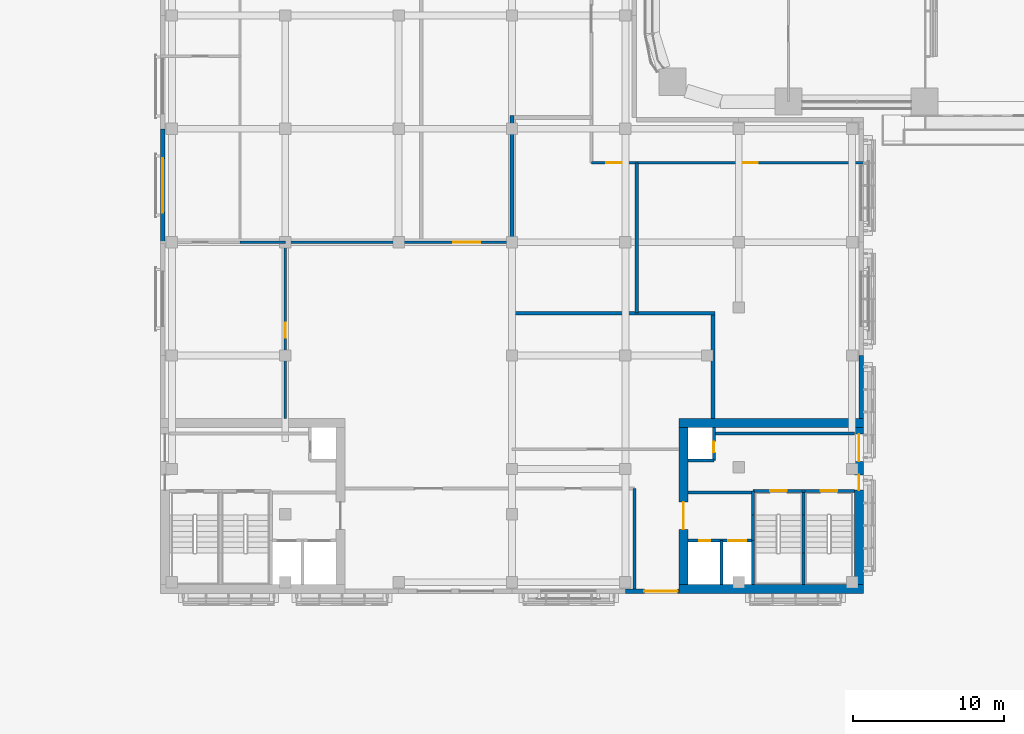
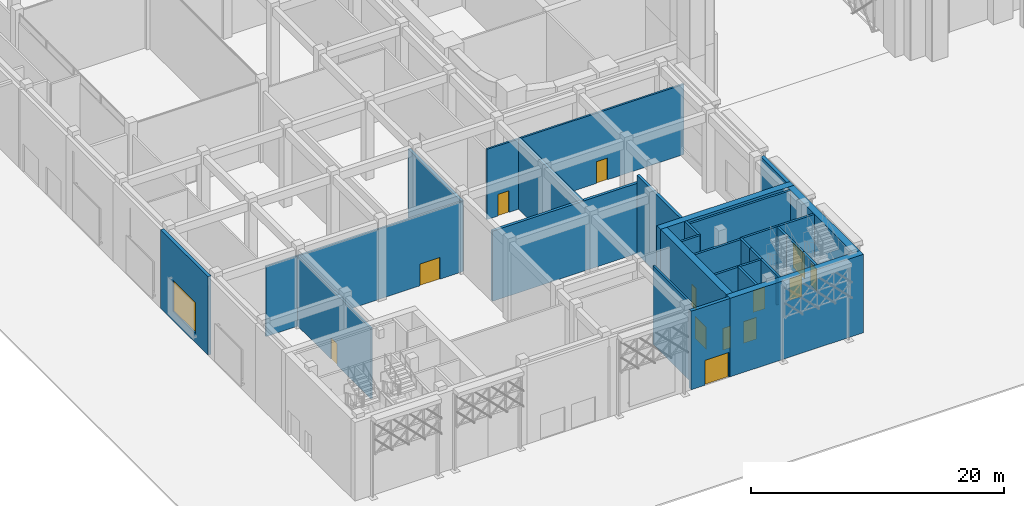
# One storey, part 29 of 64: 31 walls, 13 doors, 1 window, 14 openings.
"""IFC4 building model written with IfcOpenShell, lengths in metres."""

import ifcopenshell
import ifcopenshell.guid

model = None  # the IFC model being written
_history = None  # IfcOwnerHistory: only IFC2X3 demands one
_inside = {}  # id of a spatial element -> (the spatial element, [elements in it])
_under = {}  # id of a project, library or spatial element -> (it, [spatial elements below it])
_declared = {}  # id of a project -> (the project, [libraries it declares])
_typed = {}  # id of a type object -> (the type object, [elements of that type])
_made_of = {}  # id of a material, layer set ... -> (it, [elements and type objects made of it])


def new_model(schema):
    """Start an empty IFC model of exactly this schema.

    Asked for "IFC4X3", IfcOpenShell would pick the latest addendum, in which some entities
    have other attributes; the version numbers below select the first issue.
    IFC2X3 requires an IfcOwnerHistory on every rooted entity: one is made here for all.
    """
    global model, _history
    if schema == "IFC4X3":
        model = ifcopenshell.file(schema_version=(4, 3, 0, 0))
    else:
        model = ifcopenshell.file(schema=schema)
    _inside.clear()
    _under.clear()
    _declared.clear()
    _typed.clear()
    _made_of.clear()
    _history = None
    if model.schema == "IFC2X3":
        org = make("IfcOrganization", Name="unknown")
        user = make(
            "IfcPersonAndOrganization",
            ThePerson=make("IfcPerson", FamilyName="unknown"),
            TheOrganization=org,
        )
        app = make(
            "IfcApplication",
            ApplicationDeveloper=org,
            Version="unknown",
            ApplicationFullName="unknown",
            ApplicationIdentifier="unknown",
        )
        _history = make(
            "IfcOwnerHistory",
            OwningUser=user,
            OwningApplication=app,
            ChangeAction="ADDED",
            CreationDate=0,
        )
    return model


def make(cls, **values):
    """One entity of the class cls with the attributes given. An attribute that is None is left unset."""
    return model.create_entity(
        cls, **{name: value for name, value in values.items() if value is not None}
    )


def rooted(cls, **values):
    """An entity with a GlobalId (a new one), such as an element, a storey or a relation."""
    return make(cls, GlobalId=ifcopenshell.guid.new(), OwnerHistory=_history, **values)


def si_unit(unit_type, name, prefix=None):
    """IfcSIUnit, for example si_unit("LENGTHUNIT", "METRE", prefix="MILLI")."""
    return make("IfcSIUnit", UnitType=unit_type, Prefix=prefix, Name=name)


def assignment(units):
    """IfcUnitAssignment: the units of a project."""
    return None if units is None else make("IfcUnitAssignment", Units=units)


def point(xyz):
    """IfcCartesianPoint."""
    return None if xyz is None else make("IfcCartesianPoint", Coordinates=xyz)


def direction(xyz):
    """IfcDirection."""
    return None if xyz is None else make("IfcDirection", DirectionRatios=xyz)


def frame(location, z_axis=None, x_axis=None):
    """IfcAxis2Placement3D, a coordinate frame: its origin and axes. An axis left out is left unset."""
    return make(
        "IfcAxis2Placement3D",
        Location=point(location),
        Axis=direction(z_axis),
        RefDirection=direction(x_axis),
    )


def frame_2d(location, x_axis=None):
    """IfcAxis2Placement2D, a coordinate frame in the plane: its origin and x axis."""
    return make(
        "IfcAxis2Placement2D", Location=point(location), RefDirection=direction(x_axis)
    )


def origin():
    """The frame at (0, 0, 0) with its axes left unset."""
    return frame((0.0, 0.0, 0.0))


def place(relative_to, where):
    """IfcLocalPlacement: puts the frame where relative to a parent placement (None: the world)."""
    return make(
        "IfcLocalPlacement", PlacementRelTo=relative_to, RelativePlacement=where
    )


def context(
    kind, dimensions, precision=None, world=None, true_north=None, identifier=None
):
    """IfcGeometricRepresentationContext, for example the 3D "Model" context."""
    return make(
        "IfcGeometricRepresentationContext",
        ContextIdentifier=identifier,
        ContextType=kind,
        CoordinateSpaceDimension=dimensions,
        Precision=precision,
        WorldCoordinateSystem=world,
        TrueNorth=true_north,
    )


def subcontext(parent, identifier, kind, view, scale=None):
    """IfcGeometricRepresentationSubContext, for example "Body" below "Model"."""
    return make(
        "IfcGeometricRepresentationSubContext",
        ContextIdentifier=identifier,
        ContextType=kind,
        ParentContext=parent,
        TargetScale=scale,
        TargetView=view,
    )


def project(units=None, contexts=None):
    """IfcProject with its units and contexts."""
    return rooted(
        "IfcProject",
        Name="project",
        RepresentationContexts=contexts,
        UnitsInContext=assignment(units),
    )


def spatial(cls, under=None, at=None, **own):
    """A site, building, storey or space (cls), placed at a placement, below another one or the project."""
    s = rooted(cls, ObjectPlacement=at, **own)
    if under is not None:
        _under.setdefault(under.id(), (under, []))[1].append(s)
    return s


def profile(cls, at=None, kind="AREA", **sizes):
    """A parametric profile (cls). Its sizes go by their IFC names, for example OverallWidth=200.0."""
    return make(cls, ProfileType=kind, Position=at, **sizes)


def rectangle(**sizes):
    """IfcRectangleProfileDef."""
    return profile("IfcRectangleProfileDef", **sizes)


def extrude(swept, where, along, depth):
    """IfcExtrudedAreaSolid: the profile swept, set in the frame where, extruded along a direction by depth."""
    return make(
        "IfcExtrudedAreaSolid",
        SweptArea=swept,
        Position=where,
        ExtrudedDirection=direction(along),
        Depth=depth,
    )


def shape(context_of_items, identifier, shape_type, items):
    """IfcShapeRepresentation: the items that make up one representation, for example the "Body"."""
    return make(
        "IfcShapeRepresentation",
        ContextOfItems=context_of_items,
        RepresentationIdentifier=identifier,
        RepresentationType=shape_type,
        Items=items,
    )


def material(Name=None, Category=None):
    """IfcMaterial."""
    return make("IfcMaterial", Name=Name, Category=Category)


def layer(
    of_material, thickness, ventilated=None, Name=None, Category=None, Priority=None
):
    """IfcMaterialLayer: one layer of a wall or slab, of a material (None: an air gap)."""
    return make(
        "IfcMaterialLayer",
        Material=of_material,
        LayerThickness=thickness,
        IsVentilated=ventilated,
        Name=Name,
        Category=Category,
        Priority=Priority,
    )


def layer_set(layers, Name=None):
    """IfcMaterialLayerSet."""
    return make("IfcMaterialLayerSet", MaterialLayers=layers, LayerSetName=Name)


def made_of(thing, what):
    """Note that an element or type object is made of a material, layer set ...; save() writes the relation."""
    if what is not None:
        _made_of.setdefault(what.id(), (what, []))[1].append(thing)
    return thing


def type_object(cls, material=None, **own):
    """A type object (cls), such as IfcWallType, which elements share."""
    return made_of(rooted(cls, **own), material)


def element(
    cls,
    number,
    at=None,
    inside=None,
    cuts=None,
    type_object=None,
    material=None,
    context=None,
    identifier="Body",
    shape_type=None,
    held_by="IfcProductDefinitionShape",
    body=None,
    shapes=None,
    **own,
):
    """One element of the class cls, such as IfcWall. Its Tag is "e" and its number.

    at: its placement. inside: the storey or other place that contains it. cuts: it is an
    opening in that element (IfcRelVoidsElement). A single representation is given by context,
    identifier, shape_type and body (its items); several are given by shapes. held_by: the class
    of the entity that holds the representations. save() writes the other relations.
    """
    e = rooted(cls, Tag="e%d" % number, ObjectPlacement=at, **own)
    if body is not None:
        shapes = [shape(context, identifier, shape_type, body)]
    if shapes is not None:
        e.Representation = make(held_by, Representations=shapes)
    if inside is not None:
        _inside.setdefault(inside.id(), (inside, []))[1].append(e)
    if cuts is not None:
        rooted(
            "IfcRelVoidsElement", RelatingBuildingElement=cuts, RelatedOpeningElement=e
        )
    if type_object is not None:
        _typed.setdefault(type_object.id(), (type_object, []))[1].append(e)
    return made_of(e, material)


def fill(opening, filler):
    """IfcRelFillsElement: the door or window that sits in an opening."""
    return rooted(
        "IfcRelFillsElement",
        RelatingOpeningElement=opening,
        RelatedBuildingElement=filler,
    )


def aggregate(whole, parts):
    """IfcRelAggregates: a whole, such as a stair, and the parts it consists of."""
    return rooted("IfcRelAggregates", RelatingObject=whole, RelatedObjects=parts)


def save(model, path):
    """Write the relations noted so far, then the file.

    IfcRelAggregates (storeys below a building ...), IfcRelContainedInSpatialStructure (elements
    in a storey), IfcRelDefinesByType, IfcRelAssociatesMaterial and IfcRelDeclares: one each for
    every whole, place, type object, material and project.
    """
    for whole, parts in _under.values():
        aggregate(whole, parts)
    for where, things in _inside.values():
        rooted(
            "IfcRelContainedInSpatialStructure",
            RelatedElements=things,
            RelatingStructure=where,
        )
    for kind, things in _typed.values():
        rooted("IfcRelDefinesByType", RelatedObjects=things, RelatingType=kind)
    for what, things in _made_of.values():
        rooted("IfcRelAssociatesMaterial", RelatedObjects=things, RelatingMaterial=what)
    for by, libraries in _declared.values():
        rooted("IfcRelDeclares", RelatingContext=by, RelatedDefinitions=libraries)
    model.write(path)


model = new_model("IFC4")

# Units and contexts
model_context = context("Model", 3, precision=1e-05, world=origin(), true_north=direction((0.0, 1.0)))
body_context = subcontext(model_context, "Body", "Model", "MODEL_VIEW")
ifc_project = project(units=[si_unit("LENGTHUNIT", "METRE"), si_unit("AREAUNIT", "SQUARE_METRE"), si_unit("VOLUMEUNIT", "CUBIC_METRE"), si_unit("PLANEANGLEUNIT", "RADIAN"), si_unit("MASSUNIT", "GRAM", prefix="KILO")], contexts=[model_context])

# Site, building, storey
site_placement = place(None, origin())
site = spatial("IfcSite", under=ifc_project, at=site_placement, CompositionType="ELEMENT")
building_placement = place(site_placement, origin())
building = spatial("IfcBuilding", under=site, at=building_placement, Name="Tessera Arch", CompositionType="ELEMENT")
storey_placement = place(building_placement, origin())
storey = spatial("IfcBuildingStorey", under=building, at=storey_placement, Name="L00", CompositionType="ELEMENT", Elevation=0.0)

# Walls
ifc_material_1 = material(Name="Gypsum board on steel stud", Category="steel")
ifc_layer_1 = layer(ifc_material_1, 0.125)
ifc_layer_set_1 = layer_set([ifc_layer_1], Name="Core partition 125 EI 60")
wall_type_1 = type_object("IfcWallType", Name="Core partition 125 EI 60", PredefinedType="PARTITIONING", material=ifc_layer_set_1)
wall_1_placement = place(storey_placement, frame((2.35009765625, -25.85009765625, 0.0), z_axis=(0.0, 0.0, 1.0), x_axis=(1.0, 0.0, 0.0)))
element("IfcWall", 1, at=wall_1_placement, inside=storey, type_object=wall_type_1, Name="L00 M3 partition wall 10", PredefinedType="PARTITIONING", context=body_context, shape_type="SweptSolid", body=[
    extrude(rectangle(XDim=4.2998046875, YDim=0.199951171875, at=frame_2d((2.14990234375, 0.0))), origin(), (0.0, 0.0, 1.0), 7.590087890625),
])
wall_2_placement = place(storey_placement, frame((4.050048828125, -21.949951171875, 0.0), z_axis=(0.0, 0.0, 1.0), x_axis=(1.0, 0.0, 0.0)))
element("IfcWall", 2, at=wall_2_placement, inside=storey, type_object=wall_type_1, Name="L00 M3 partition wall 15", PredefinedType="PARTITIONING", context=body_context, shape_type="SweptSolid", body=[
    extrude(rectangle(XDim=9.300048828125, YDim=0.199951171875, at=frame_2d((4.64990234375, 0.0))), origin(), (0.0, 0.0, 1.0), 7.590087890625),
])
ifc_material_2 = material(Name="Concrete C70/85", Category="concrete")
ifc_layer_2 = layer(ifc_material_2, 0.60009765625)
ifc_layer_set_2 = layer_set([ifc_layer_2], Name="Core shell wall 600 C70-85")
wall_type_2 = type_object("IfcWallType", Name="Core shell wall 600 C70-85", PredefinedType="SHEAR", material=ifc_layer_set_2)
for number, where, z_axis, x_axis, name in (
    (3, (1.75, -32.25, 0.0), (0.0, 0.0, 1.0), (1.0, 0.0, 0.0), "L00 M3 core wall S"),
    (4, (1.75, -21.25, 0.0), (0.0, 0.0, 1.0), (1.0, 0.0, 0.0), "L00 M3 core wall N"),
):
    element("IfcWall", number, at=place(storey_placement, frame(where, z_axis=z_axis, x_axis=x_axis)), inside=storey, type_object=wall_type_2, Name=name, PredefinedType="SHEAR", context=body_context, shape_type="SweptSolid", body=[
        extrude(rectangle(XDim=12.199951171875, YDim=0.60009765625, at=frame_2d((6.10009765625, 0.0))), origin(), (0.0, 0.0, 1.0), 7.590087890625),
    ])

# Wall, opening, door
wall_3_placement = place(storey_placement, frame((2.050048828125, -31.949951171875, 0.0), z_axis=(0.0, 0.0, 1.0), x_axis=(0.0, 1.0, 0.0)))
wall_3 = element("IfcWall", 5, at=wall_3_placement, inside=storey, type_object=wall_type_2, Name="L00 M3 core wall W", PredefinedType="SHEAR", context=body_context, shape_type="SweptSolid", body=[
    extrude(rectangle(XDim=10.39990234375, YDim=0.60009765625, at=frame_2d((5.199951171875, 0.0))), origin(), (0.0, 0.0, 1.0), 7.590087890625),
])
opening_1_placement = place(wall_3_placement, frame((3.64990234375, 0.0, 0.0)))
opening_1 = element("IfcOpeningElement", 6, at=opening_1_placement, cuts=wall_3, Name="Opening L00-C64", PredefinedType="OPENING", context=body_context, shape_type="SweptSolid", body=[
    extrude(rectangle(XDim=1.800048828125, YDim=2.10009765625, at=frame_2d((0.89990234375, 1.050048828125))), frame((0.0, 0.31005859375, 0.0), z_axis=(0.0, -1.0, 0.0), x_axis=(1.0, 0.0, 0.0)), (0.0, 0.0, 1.0), 0.6201171875),
])
ifc_material_3 = material(Name="Glazed steel door leaf", Category="steel")
door_type_1 = type_object("IfcDoorType", Name="Lobby double door FD30S 1800 x 2100", OperationType="DOUBLE_DOOR_SINGLE_SWING", PredefinedType="DOOR", material=ifc_material_3)
door_1_placement = place(opening_1_placement, origin())
door_1 = element("IfcDoor", 7, at=door_1_placement, inside=storey, type_object=door_type_1, Name="L00 M3 door 4 C64 type D06", OperationType="DOUBLE_DOOR_SINGLE_SWING", OverallHeight=2.10009765625, OverallWidth=1.800048828125, PredefinedType="DOOR", context=body_context, shape_type="SweptSolid", body=[
    extrude(rectangle(XDim=1.800048828125, YDim=2.10009765625, at=frame_2d((0.89990234375, 1.050048828125))), frame((0.0, 0.02490234375, 0.0), z_axis=(0.0, -1.0, 0.0), x_axis=(1.0, 0.0, 0.0)), (0.0, 0.0, 1.0), 0.050048828125),
])
fill(opening_1, door_1)

# Wall, openings, doors
wall_4_placement = place(storey_placement, frame((13.64990234375, -31.949951171875, 0.0), z_axis=(0.0, 0.0, 1.0), x_axis=(0.0, 1.0, 0.0)))
wall_4 = element("IfcWall", 8, at=wall_4_placement, inside=storey, type_object=wall_type_2, Name="L00 M3 core wall E", PredefinedType="SHEAR", context=body_context, shape_type="SweptSolid", body=[
    extrude(rectangle(XDim=10.39990234375, YDim=0.60009765625, at=frame_2d((5.199951171875, 0.0))), origin(), (0.0, 0.0, 1.0), 7.590087890625),
])
opening_2_placement = place(wall_4_placement, frame((7.25, 0.0, 0.0), z_axis=(0.0, 0.0, 1.0), x_axis=(-1.0, 0.0, 0.0)))
opening_2 = element("IfcOpeningElement", 9, at=opening_2_placement, cuts=wall_4, Name="Opening L00-C79", PredefinedType="OPENING", context=body_context, shape_type="SweptSolid", body=[
    extrude(rectangle(XDim=1.0, YDim=2.10009765625, at=frame_2d((0.5, 1.050048828125))), frame((0.0, 0.31005859375, 0.0), z_axis=(0.0, -1.0, 0.0), x_axis=(1.0, 0.0, 0.0)), (0.0, 0.0, 1.0), 0.6201171875),
])
opening_3_placement = place(wall_4_placement, frame((9.949951171875, 0.0, 0.0), z_axis=(0.0, 0.0, 1.0), x_axis=(-1.0, 0.0, 0.0)))
opening_3 = element("IfcOpeningElement", 10, at=opening_3_placement, cuts=wall_4, Name="Opening L00-C80", PredefinedType="OPENING", context=body_context, shape_type="SweptSolid", body=[
    extrude(rectangle(XDim=1.800048828125, YDim=2.39990234375, at=frame_2d((0.89990234375, 1.199951171875))), frame((0.0, 0.31005859375, 0.0), z_axis=(0.0, -1.0, 0.0), x_axis=(1.0, 0.0, 0.0)), (0.0, 0.0, 1.0), 0.6201171875),
])
ifc_material_4 = material(Name="Steel door leaf", Category="steel")
door_type_2 = type_object("IfcDoorType", Name="Corridor door FD60 1000 x 2100", OperationType="SINGLE_SWING_LEFT", PredefinedType="DOOR", material=ifc_material_4)
door_2_placement = place(opening_2_placement, origin())
door_2 = element("IfcDoor", 11, at=door_2_placement, inside=storey, type_object=door_type_2, Name="Stair M3a exit C79 type D12", OperationType="SINGLE_SWING_RIGHT", OverallHeight=2.10009765625, OverallWidth=1.0, PredefinedType="DOOR", context=body_context, shape_type="SweptSolid", body=[
    extrude(rectangle(XDim=1.0, YDim=2.10009765625, at=frame_2d((0.5, 1.050048828125))), frame((0.0, 0.02490234375, 0.0), z_axis=(0.0, -1.0, 0.0), x_axis=(1.0, 0.0, 0.0)), (0.0, 0.0, 1.0), 0.050048828125),
])
fill(opening_2, door_2)
ifc_material_5 = material(Name="Steel door leaf", Category="steel")
door_type_3 = type_object("IfcDoorType", Name="Stair discharge door 1800 x 2400", OperationType="DOUBLE_DOOR_SINGLE_SWING", PredefinedType="DOOR", material=ifc_material_5)
door_3_placement = place(opening_3_placement, origin())
door_3 = element("IfcDoor", 12, at=door_3_placement, inside=storey, type_object=door_type_3, Name="Stair M3b exit C80 type D10", OperationType="DOUBLE_DOOR_SINGLE_SWING", OverallHeight=2.39990234375, OverallWidth=1.800048828125, PredefinedType="DOOR", context=body_context, shape_type="SweptSolid", body=[
    extrude(rectangle(XDim=1.800048828125, YDim=2.39990234375, at=frame_2d((0.89990234375, 1.199951171875))), frame((0.0, 0.02490234375, 0.0), z_axis=(0.0, -1.0, 0.0), x_axis=(1.0, 0.0, 0.0)), (0.0, 0.0, 1.0), 0.050048828125),
])
fill(opening_3, door_3)

# Wall, opening, door
ifc_material_6 = material(Name="Gypsum board on deep steel stud with mineral wool", Category="steel")
ifc_layer_3 = layer(ifc_material_6, 0.175048828125)
ifc_layer_set_3 = layer_set([ifc_layer_3], Name="Corridor wall 175 EI 60")
wall_type_3 = type_object("IfcWallType", Name="Corridor wall 175 EI 60", PredefinedType="PARTITIONING", material=ifc_layer_set_3)
wall_5_placement = place(storey_placement, frame((-24.300048828125, -9.300048828125, 0.0), z_axis=(0.0, 0.0, 1.0), x_axis=(1.0, 0.0, 0.0)))
wall_5 = element("IfcWall", 13, at=wall_5_placement, inside=storey, type_object=wall_type_3, Name="L00 partition 3", PredefinedType="PARTITIONING", context=body_context, shape_type="SweptSolid", body=[
    extrude(rectangle(XDim=15.0, YDim=0.175048828125, at=frame_2d((7.5, 0.0))), origin(), (0.0, 0.0, 1.0), 6.7900390625),
])
opening_4_placement = place(wall_5_placement, frame((11.10009765625, 0.0, 0.0)))
opening_4 = element("IfcOpeningElement", 14, at=opening_4_placement, cuts=wall_5, Name="Opening L00-D011", PredefinedType="OPENING", context=body_context, shape_type="SweptSolid", body=[
    extrude(rectangle(XDim=1.800048828125, YDim=2.10009765625, at=frame_2d((0.89990234375, 1.050048828125))), frame((0.0, 0.097412109375, 0.0), z_axis=(0.0, -1.0, 0.0), x_axis=(1.0, 0.0, 0.0)), (0.0, 0.0, 1.0), 0.195068359375),
])
ifc_material_7 = material(Name="Timber door leaf", Category="wood")
door_type_4 = type_object("IfcDoorType", Name="Double door 1800 x 2100", OperationType="DOUBLE_DOOR_SINGLE_SWING", PredefinedType="DOOR", material=ifc_material_7)
door_4_placement = place(opening_4_placement, origin())
door_4 = element("IfcDoor", 15, at=door_4_placement, inside=storey, type_object=door_type_4, Name="L00 door D011 type D13", OperationType="DOUBLE_DOOR_SINGLE_SWING", OverallHeight=2.10009765625, OverallWidth=1.800048828125, PredefinedType="DOOR", context=body_context, shape_type="SweptSolid", body=[
    extrude(rectangle(XDim=1.800048828125, YDim=2.10009765625, at=frame_2d((0.89990234375, 1.050048828125))), frame((0.0, 0.02490234375, 0.0), z_axis=(0.0, -1.0, 0.0), x_axis=(1.0, 0.0, 0.0)), (0.0, 0.0, 1.0), 0.050048828125),
])
fill(opening_4, door_4)

# Wall, openings, doors
wall_6_placement = place(storey_placement, frame((-4.050048828125, -4.050048828125, 0.0), z_axis=(0.0, 0.0, 1.0), x_axis=(1.0, 0.0, 0.0)))
wall_6 = element("IfcWall", 16, at=wall_6_placement, inside=storey, type_object=wall_type_3, Name="L00 partition 4", PredefinedType="PARTITIONING", context=body_context, shape_type="SweptSolid", body=[
    extrude(rectangle(XDim=18.0, YDim=0.175048828125, at=frame_2d((9.0, 0.0))), origin(), (0.0, 0.0, 1.0), 6.7900390625),
])
opening_5_placement = place(wall_6_placement, frame((1.0, 0.0, 0.0)))
opening_5 = element("IfcOpeningElement", 17, at=opening_5_placement, cuts=wall_6, Name="Opening L00-D022", PredefinedType="OPENING", context=body_context, shape_type="SweptSolid", body=[
    extrude(rectangle(XDim=1.0, YDim=2.10009765625, at=frame_2d((0.5, 1.050048828125))), frame((0.0, 0.097412109375, 0.0), z_axis=(0.0, -1.0, 0.0), x_axis=(1.0, 0.0, 0.0)), (0.0, 0.0, 1.0), 0.195068359375),
])
opening_6_placement = place(wall_6_placement, frame((10.0, 0.0, 0.0)))
opening_6 = element("IfcOpeningElement", 18, at=opening_6_placement, cuts=wall_6, Name="Opening L00-D026", PredefinedType="OPENING", context=body_context, shape_type="SweptSolid", body=[
    extrude(rectangle(XDim=1.0, YDim=2.10009765625, at=frame_2d((0.5, 1.050048828125))), frame((0.0, 0.097412109375, 0.0), z_axis=(0.0, -1.0, 0.0), x_axis=(1.0, 0.0, 0.0)), (0.0, 0.0, 1.0), 0.195068359375),
])
ifc_material_8 = material(Name="Fire-rated door leaf")
door_type_5 = type_object("IfcDoorType", Name="Entrance door FD30S 1000 x 2100", OperationType="SINGLE_SWING_LEFT", PredefinedType="DOOR", material=ifc_material_8)
door_5_placement = place(opening_5_placement, origin())
door_5 = element("IfcDoor", 19, at=door_5_placement, inside=storey, type_object=door_type_5, Name="L00 door D022 type D03", OperationType="SINGLE_SWING_LEFT", OverallHeight=2.10009765625, OverallWidth=1.0, PredefinedType="DOOR", context=body_context, shape_type="SweptSolid", body=[
    extrude(rectangle(XDim=1.0, YDim=2.10009765625, at=frame_2d((0.5, 1.050048828125))), frame((0.0, 0.02490234375, 0.0), z_axis=(0.0, -1.0, 0.0), x_axis=(1.0, 0.0, 0.0)), (0.0, 0.0, 1.0), 0.050048828125),
])
fill(opening_5, door_5)
ifc_material_9 = material(Name="Fire-rated door leaf")
door_type_6 = type_object("IfcDoorType", Name="Entrance door FD60 1000 x 2100", OperationType="SINGLE_SWING_LEFT", PredefinedType="DOOR", material=ifc_material_9)
door_6_placement = place(opening_6_placement, origin())
door_6 = element("IfcDoor", 20, at=door_6_placement, inside=storey, type_object=door_type_6, Name="L00 door D026 type D16", OperationType="SINGLE_SWING_LEFT", OverallHeight=2.10009765625, OverallWidth=1.0, PredefinedType="DOOR", context=body_context, shape_type="SweptSolid", body=[
    extrude(rectangle(XDim=1.0, YDim=2.10009765625, at=frame_2d((0.5, 1.050048828125))), frame((0.0, 0.02490234375, 0.0), z_axis=(0.0, -1.0, 0.0), x_axis=(1.0, 0.0, 0.0)), (0.0, 0.0, 1.0), 0.050048828125),
])
fill(opening_6, door_6)

# Wall, opening, door
wall_7_placement = place(storey_placement, frame((-24.300048828125, -20.949951171875, 0.0), z_axis=(0.0, 0.0, 1.0), x_axis=(0.0, 1.0, 0.0)))
wall_7 = element("IfcWall", 21, at=wall_7_placement, inside=storey, type_object=wall_type_3, Name="L00 partition 16", PredefinedType="PARTITIONING", context=body_context, shape_type="SweptSolid", body=[
    extrude(rectangle(XDim=11.64990234375, YDim=0.175048828125, at=frame_2d((5.824951171875, 0.0))), origin(), (0.0, 0.0, 1.0), 6.7900390625),
])
opening_7_placement = place(wall_7_placement, frame((5.324951171875, 0.0, 0.0)))
opening_7 = element("IfcOpeningElement", 22, at=opening_7_placement, cuts=wall_7, Name="Opening L00-D018", PredefinedType="OPENING", context=body_context, shape_type="SweptSolid", body=[
    extrude(rectangle(XDim=1.0, YDim=2.10009765625, at=frame_2d((0.5, 1.050048828125))), frame((0.0, 0.097412109375, 0.0), z_axis=(0.0, -1.0, 0.0), x_axis=(1.0, 0.0, 0.0)), (0.0, 0.0, 1.0), 0.195068359375),
])
door_7_placement = place(opening_7_placement, origin())
door_7 = element("IfcDoor", 23, at=door_7_placement, inside=storey, type_object=door_type_5, Name="L00 door D018 type D03", OperationType="SINGLE_SWING_RIGHT", OverallHeight=2.10009765625, OverallWidth=1.0, PredefinedType="DOOR", context=body_context, shape_type="SweptSolid", body=[
    extrude(rectangle(XDim=1.0, YDim=2.10009765625, at=frame_2d((0.5, 1.050048828125))), frame((0.0, 0.02490234375, 0.0), z_axis=(0.0, -1.0, 0.0), x_axis=(1.0, 0.0, 0.0)), (0.0, 0.0, 1.0), 0.050048828125),
])
fill(opening_7, door_7)

# Wall
wall_8_placement = place(storey_placement, frame((-1.199951171875, -32.550048828125, 0.0), z_axis=(0.0, 0.0, 1.0), x_axis=(0.0, 1.0, 0.0)))
element("IfcWall", 24, at=wall_8_placement, inside=storey, type_object=wall_type_3, Name="L00 partition 21", PredefinedType="PARTITIONING", context=body_context, shape_type="SweptSolid", body=[
    extrude(rectangle(XDim=6.949951171875, YDim=0.175048828125, at=frame_2d((3.47509765625, 0.0))), origin(), (0.0, 0.0, 1.0), 7.590087890625),
])

# Wall, opening, door
ifc_material_10 = material(Name="Aluminium cladding pale metal anodised", Category="aluminium")
ifc_layer_4 = layer(ifc_material_10, 0.300048828125)
ifc_layer_set_4 = layer_set([ifc_layer_4], Name="Museum envelope wall pale metal")
wall_type_4 = type_object("IfcWallType", Name="Museum envelope wall pale metal", PredefinedType="SOLIDWALL", material=ifc_layer_set_4)
wall_9_placement = place(storey_placement, frame((-1.800048828125, -32.39990234375, 0.0), z_axis=(0.0, 0.0, 1.0), x_axis=(1.0, 0.0, 0.0)))
wall_9 = element("IfcWall", 25, at=wall_9_placement, inside=storey, type_object=wall_type_4, Name="Museum external wall pale metal mashrabiya pattern", PredefinedType="SOLIDWALL", context=body_context, shape_type="SweptSolid", body=[
    extrude(rectangle(XDim=3.550048828125, YDim=0.300048828125, at=frame_2d((1.77490234375, 0.0))), origin(), (0.0, 0.0, 1.0), 7.590087890625),
])
opening_8_placement = place(wall_9_placement, frame((1.25, 0.0, 0.0)))
opening_8 = element("IfcOpeningElement", 26, at=opening_8_placement, cuts=wall_9, Name="Opening L00-M03", PredefinedType="OPENING", context=body_context, shape_type="SweptSolid", body=[
    extrude(rectangle(XDim=2.199951171875, YDim=2.39990234375, at=frame_2d((1.10009765625, 1.199951171875))), frame((0.0, 0.159912109375, 0.0), z_axis=(0.0, -1.0, 0.0), x_axis=(1.0, 0.0, 0.0)), (0.0, 0.0, 1.0), 0.320068359375),
])
ifc_material_11 = material(Name="Aluminium frame and clear glass", Category="aluminium")
door_type_7 = type_object("IfcDoorType", Name="Museum exit door double leaf", OperationType="DOUBLE_DOOR_SINGLE_SWING", PredefinedType="DOOR", material=ifc_material_11)
door_8_placement = place(opening_8_placement, origin())
door_8 = element("IfcDoor", 27, at=door_8_placement, inside=storey, type_object=door_type_7, Name="Museum door MX-S-EXIT-2 M03", OperationType="DOUBLE_DOOR_SINGLE_SWING", OverallHeight=2.39990234375, OverallWidth=2.199951171875, PredefinedType="DOOR", context=body_context, shape_type="SweptSolid", body=[
    extrude(rectangle(XDim=2.199951171875, YDim=2.39990234375, at=frame_2d((1.10009765625, 1.199951171875))), frame((0.0, 0.02490234375, 0.0), z_axis=(0.0, -1.0, 0.0), x_axis=(1.0, 0.0, 0.0)), (0.0, 0.0, 1.0), 0.050048828125),
])
fill(opening_8, door_8)

# Wall
wall_10_placement = place(storey_placement, frame((13.800048828125, -20.949951171875, 0.0), z_axis=(0.0, 0.0, 1.0), x_axis=(0.0, 1.0, 0.0)))
element("IfcWall", 28, at=wall_10_placement, inside=storey, type_object=wall_type_4, Name="Museum external wall pale metal mashrabiya pattern", PredefinedType="SOLIDWALL", context=body_context, shape_type="SweptSolid", body=[
    extrude(rectangle(XDim=4.14990234375, YDim=0.300048828125, at=frame_2d((2.074951171875, 0.0))), origin(), (0.0, 0.0, 1.0), 7.590087890625),
])

# Wall, opening, window
wall_11_placement = place(storey_placement, frame((-32.39990234375, -1.800048828125, 0.0), z_axis=(0.0, 0.0, 1.0), x_axis=(0.0, -1.0, 0.0)))
wall_11 = element("IfcWall", 29, at=wall_11_placement, inside=storey, type_object=wall_type_4, Name="Museum external wall pale metal mashrabiya pattern", PredefinedType="SOLIDWALL", context=body_context, shape_type="SweptSolid", body=[
    extrude(rectangle(XDim=7.5, YDim=0.300048828125, at=frame_2d((3.75, 0.0))), origin(), (0.0, 0.0, 1.0), 7.590087890625),
])
opening_9_placement = place(wall_11_placement, frame((1.949951171875, 0.0, 0.89990234375)))
opening_9 = element("IfcOpeningElement", 30, at=opening_9_placement, cuts=wall_11, Name="Opening L00-MV10", PredefinedType="OPENING", context=body_context, shape_type="SweptSolid", body=[
    extrude(rectangle(XDim=3.60009765625, YDim=3.0, at=frame_2d((1.800048828125, 1.5))), frame((0.0, 0.159912109375, 0.0), z_axis=(0.0, -1.0, 0.0), x_axis=(1.0, 0.0, 0.0)), (0.0, 0.0, 1.0), 0.320068359375),
])
ifc_material_12 = material(Name="Clear low-e glass in aluminium frame", Category="aluminium")
window_type = type_object("IfcWindowType", Name="Museum window fixed clear glass", PartitioningType="SINGLE_PANEL", PredefinedType="WINDOW", material=ifc_material_12)
window_placement = place(opening_9_placement, origin())
window = element("IfcWindow", 31, at=window_placement, inside=storey, type_object=window_type, Name="Museum window L00 6-10", OverallHeight=3.0, OverallWidth=3.60009765625, PartitioningType="SINGLE_PANEL", PredefinedType="WINDOW", context=body_context, shape_type="SweptSolid", body=[
    extrude(rectangle(XDim=3.60009765625, YDim=3.0, at=frame_2d((1.800048828125, 1.5))), frame((0.0, 0.030029296875, 0.0), z_axis=(0.0, -1.0, 0.0), x_axis=(1.0, 0.0, 0.0)), (0.0, 0.0, 1.0), 0.06005859375),
])
fill(opening_9, window)

# Walls
ifc_material_13 = material(Name="Gypsum board on steel stud", Category="steel")
ifc_layer_5 = layer(ifc_material_13, 0.14990234375)
ifc_layer_set_5 = layer_set([ifc_layer_5], Name="Partition 150")
wall_type_5 = type_object("IfcWallType", Name="Partition 150", PredefinedType="PARTITIONING", material=ifc_layer_set_5)
wall_12_placement = place(storey_placement, frame((-27.300048828125, -9.300048828125, 0.0), z_axis=(0.0, 0.0, 1.0), x_axis=(1.0, 0.0, 0.0)))
element("IfcWall", 32, at=wall_12_placement, inside=storey, type_object=wall_type_5, Name="L00 partition 24", PredefinedType="PARTITIONING", context=body_context, shape_type="SweptSolid", body=[
    extrude(rectangle(XDim=3.0, YDim=0.14990234375, at=frame_2d((1.5, 0.0))), origin(), (0.0, 0.0, 1.0), 6.7900390625),
])
ifc_material_14 = material(Name="Double gypsum board on twin steel stud with acoustic mineral wool", Category="steel")
ifc_layer_6 = layer(ifc_material_14, 0.25)
ifc_layer_set_6 = layer_set([ifc_layer_6], Name="Party wall 250 EI 60")
wall_type_6 = type_object("IfcWallType", Name="Party wall 250 EI 60", PredefinedType="PARTITIONING", material=ifc_layer_set_6)
wall_13_placement = place(storey_placement, frame((-9.300048828125, -14.0, 0.0), z_axis=(0.0, 0.0, 1.0), x_axis=(1.0, 0.0, 0.0)))
element("IfcWall", 33, at=wall_13_placement, inside=storey, type_object=wall_type_6, Name="L00 partition 34", PredefinedType="PARTITIONING", context=body_context, shape_type="SweptSolid", body=[
    extrude(rectangle(XDim=13.425048828125, YDim=0.25, at=frame_2d((6.71240234375, 0.0))), origin(), (0.0, 0.0, 1.0), 6.7900390625),
])
wall_14_placement = place(storey_placement, frame((-9.300048828125, -9.300048828125, 0.0), z_axis=(0.0, 0.0, 1.0), x_axis=(0.0, 1.0, 0.0)))
element("IfcWall", 34, at=wall_14_placement, inside=storey, type_object=wall_type_6, Name="L00 partition 41", PredefinedType="PARTITIONING", context=body_context, shape_type="SweptSolid", body=[
    extrude(rectangle(XDim=8.375, YDim=0.25, at=frame_2d((4.1875, 0.0))), origin(), (0.0, 0.0, 1.0), 6.7900390625),
])
wall_15_placement = place(storey_placement, frame((-1.050048828125, -14.0, 0.0), z_axis=(0.0, 0.0, 1.0), x_axis=(0.0, 1.0, 0.0)))
element("IfcWall", 35, at=wall_15_placement, inside=storey, type_object=wall_type_6, Name="L00 partition 42", PredefinedType="PARTITIONING", context=body_context, shape_type="SweptSolid", body=[
    extrude(rectangle(XDim=9.949951171875, YDim=0.25, at=frame_2d((4.97509765625, 0.0))), origin(), (0.0, 0.0, 1.0), 6.7900390625),
])
wall_16_placement = place(storey_placement, frame((4.0, -20.949951171875, 0.0), z_axis=(0.0, 0.0, 1.0), x_axis=(0.0, 1.0, 0.0)))
element("IfcWall", 36, at=wall_16_placement, inside=storey, type_object=wall_type_6, Name="L00 partition 43", PredefinedType="PARTITIONING", context=body_context, shape_type="SweptSolid", body=[
    extrude(rectangle(XDim=6.824951171875, YDim=0.25, at=frame_2d((3.41259765625, 0.0))), origin(), (0.0, 0.0, 1.0), 7.590087890625),
])

# Wall, opening, door
ifc_material_15 = material(Name="Concrete C40/50", Category="concrete")
ifc_layer_7 = layer(ifc_material_15, 0.199951171875)
ifc_layer_set_7 = layer_set([ifc_layer_7], Name="Shaft wall 200 EI 120")
wall_type_7 = type_object("IfcWallType", Name="Shaft wall 200 EI 120", PredefinedType="SOLIDWALL", material=ifc_layer_set_7)
wall_17_placement = place(storey_placement, frame((4.050048828125, -23.75, 0.0), z_axis=(0.0, 0.0, 1.0), x_axis=(0.0, 1.0, 0.0)))
wall_17 = element("IfcWall", 37, at=wall_17_placement, inside=storey, type_object=wall_type_7, Name="L00 M3 shaft wall 1", PredefinedType="SOLIDWALL", context=body_context, shape_type="SweptSolid", body=[
    extrude(rectangle(XDim=2.199951171875, YDim=0.199951171875, at=frame_2d((1.10009765625, 0.0))), origin(), (0.0, 0.0, 1.0), 7.590087890625),
])
opening_10_placement = place(wall_17_placement, frame((0.550048828125, 0.0, 0.0)))
opening_10 = element("IfcOpeningElement", 38, at=opening_10_placement, cuts=wall_17, Name="Opening L00-C65", PredefinedType="OPENING", context=body_context, shape_type="SweptSolid", body=[
    extrude(rectangle(XDim=0.699951171875, YDim=2.10009765625, at=frame_2d((0.35009765625, 1.050048828125))), frame((0.0, 0.10986328125, 0.0), z_axis=(0.0, -1.0, 0.0), x_axis=(1.0, 0.0, 0.0)), (0.0, 0.0, 1.0), 0.219970703125),
])
ifc_material_16 = material(Name="Steel door leaf", Category="steel")
door_type_8 = type_object("IfcDoorType", Name="Service shaft door FD60 700 x 2100", OperationType="SINGLE_SWING_LEFT", PredefinedType="DOOR", material=ifc_material_16)
door_9_placement = place(opening_10_placement, origin())
door_9 = element("IfcDoor", 39, at=door_9_placement, inside=storey, type_object=door_type_8, Name="L00 M3 door 5 C65 type D07", OperationType="SINGLE_SWING_LEFT", OverallHeight=2.10009765625, OverallWidth=0.699951171875, PredefinedType="DOOR", context=body_context, shape_type="SweptSolid", body=[
    extrude(rectangle(XDim=0.699951171875, YDim=2.10009765625, at=frame_2d((0.35009765625, 1.050048828125))), frame((0.0, 0.02490234375, 0.0), z_axis=(0.0, -1.0, 0.0), x_axis=(1.0, 0.0, 0.0)), (0.0, 0.0, 1.0), 0.050048828125),
])
fill(opening_10, door_9)

# Walls
for number, where, z_axis, x_axis, name in (
    (40, (4.550048828125, -31.949951171875, 0.0), (0.0, 0.0, 1.0), (0.0, 1.0, 0.0), "L00 M3 shaft wall 2"),
    (41, (6.64990234375, -31.949951171875, 0.0), (0.0, 0.0, 1.0), (0.0, 1.0, 0.0), "L00 M3 shaft wall 3"),
):
    element("IfcWall", number, at=place(storey_placement, frame(where, z_axis=z_axis, x_axis=x_axis)), inside=storey, type_object=wall_type_7, Name=name, PredefinedType="SOLIDWALL", context=body_context, shape_type="SweptSolid", body=[
        extrude(rectangle(XDim=2.89990234375, YDim=0.199951171875, at=frame_2d((1.449951171875, 0.0))), origin(), (0.0, 0.0, 1.0), 7.590087890625),
    ])

# Wall, openings, doors
wall_18_placement = place(storey_placement, frame((2.35009765625, -29.050048828125, 0.0), z_axis=(0.0, 0.0, 1.0), x_axis=(1.0, 0.0, 0.0)))
wall_18 = element("IfcWall", 42, at=wall_18_placement, inside=storey, type_object=wall_type_7, Name="L00 M3 shaft wall 9", PredefinedType="SOLIDWALL", context=body_context, shape_type="SweptSolid", body=[
    extrude(rectangle(XDim=4.2998046875, YDim=0.199951171875, at=frame_2d((2.14990234375, 0.0))), origin(), (0.0, 0.0, 1.0), 7.590087890625),
])
opening_11_placement = place(wall_18_placement, frame((2.64990234375, 0.0, 0.0)))
opening_11 = element("IfcOpeningElement", 43, at=opening_11_placement, cuts=wall_18, Name="Opening L00-C61", PredefinedType="OPENING", context=body_context, shape_type="SweptSolid", body=[
    extrude(rectangle(XDim=1.199951171875, YDim=2.10009765625, at=frame_2d((0.60009765625, 1.050048828125))), frame((0.0, 0.10986328125, 0.0), z_axis=(0.0, -1.0, 0.0), x_axis=(1.0, 0.0, 0.0)), (0.0, 0.0, 1.0), 0.219970703125),
])
opening_12_placement = place(wall_18_placement, frame((0.75, 0.0, 0.0)))
opening_12 = element("IfcOpeningElement", 44, at=opening_12_placement, cuts=wall_18, Name="Opening L00-C66", PredefinedType="OPENING", context=body_context, shape_type="SweptSolid", body=[
    extrude(rectangle(XDim=0.699951171875, YDim=2.10009765625, at=frame_2d((0.35009765625, 1.050048828125))), frame((0.0, 0.10986328125, 0.0), z_axis=(0.0, -1.0, 0.0), x_axis=(1.0, 0.0, 0.0)), (0.0, 0.0, 1.0), 0.219970703125),
])
door_10_placement = place(opening_12_placement, origin())
door_10 = element("IfcDoor", 45, at=door_10_placement, inside=storey, type_object=door_type_8, Name="L00 M3 door 6 C66 type D07", OperationType="SINGLE_SWING_LEFT", OverallHeight=2.10009765625, OverallWidth=0.699951171875, PredefinedType="DOOR", context=body_context, shape_type="SweptSolid", body=[
    extrude(rectangle(XDim=0.699951171875, YDim=2.10009765625, at=frame_2d((0.35009765625, 1.050048828125))), frame((0.0, 0.02490234375, 0.0), z_axis=(0.0, -1.0, 0.0), x_axis=(1.0, 0.0, 0.0)), (0.0, 0.0, 1.0), 0.050048828125),
])
fill(opening_12, door_10)
ifc_material_17 = material(Name="Stainless steel AISI 304", Category="steel")
door_type_9 = type_object("IfcDoorType", Name="Sliding landing door 1200 x 2100", OperationType="SLIDING_TO_LEFT", PredefinedType="DOOR", material=ifc_material_17)
door_11_placement = place(opening_11_placement, origin())
door_11 = element("IfcDoor", 46, at=door_11_placement, inside=storey, type_object=door_type_9, Name="L00 ML4 lift landing door C61 type LD", OperationType="SLIDING_TO_LEFT", OverallHeight=2.10009765625, OverallWidth=1.199951171875, PredefinedType="DOOR", context=body_context, shape_type="SweptSolid", body=[
    extrude(rectangle(XDim=1.199951171875, YDim=2.10009765625, at=frame_2d((0.60009765625, 1.050048828125))), frame((0.0, 0.02490234375, 0.0), z_axis=(0.0, -1.0, 0.0), x_axis=(1.0, 0.0, 0.0)), (0.0, 0.0, 1.0), 0.050048828125),
])
fill(opening_11, door_11)

# Walls
wall_19_placement = place(storey_placement, frame((2.35009765625, -23.75, 0.0), z_axis=(0.0, 0.0, 1.0), x_axis=(1.0, 0.0, 0.0)))
element("IfcWall", 47, at=wall_19_placement, inside=storey, type_object=wall_type_7, Name="L00 M3 shaft wall 14", PredefinedType="SOLIDWALL", context=body_context, shape_type="SweptSolid", body=[
    extrude(rectangle(XDim=1.699951171875, YDim=0.199951171875, at=frame_2d((0.85009765625, 0.0))), origin(), (0.0, 0.0, 1.0), 7.590087890625),
])
ifc_material_18 = material(Name="Concrete C40/50", Category="concrete")
ifc_layer_8 = layer(ifc_material_18, 0.199951171875)
ifc_layer_set_8 = layer_set([ifc_layer_8], Name="Stair well wall 200 REI 180")
wall_type_8 = type_object("IfcWallType", Name="Stair well wall 200 REI 180", PredefinedType="SOLIDWALL", material=ifc_layer_set_8)
wall_20_placement = place(storey_placement, frame((6.64990234375, -29.050048828125, 0.0), z_axis=(0.0, 0.0, 1.0), x_axis=(0.0, 1.0, 0.0)))
element("IfcWall", 48, at=wall_20_placement, inside=storey, type_object=wall_type_8, Name="L00 M3 shaft wall 4", PredefinedType="SOLIDWALL", context=body_context, shape_type="SweptSolid", body=[
    extrude(rectangle(XDim=1.699951171875, YDim=0.199951171875, at=frame_2d((0.85009765625, 0.0))), origin(), (0.0, 0.0, 1.0), 7.590087890625),
])
wall_21_placement = place(storey_placement, frame((6.64990234375, -27.35009765625, 0.0), z_axis=(0.0, 0.0, 1.0), x_axis=(0.0, 1.0, 0.0)))
element("IfcWall", 49, at=wall_21_placement, inside=storey, type_object=wall_type_8, Name="L00 M3 shaft wall 5", PredefinedType="SOLIDWALL", context=body_context, shape_type="SweptSolid", body=[
    extrude(rectangle(XDim=1.60009765625, YDim=0.199951171875, at=frame_2d((0.800048828125, 0.0))), origin(), (0.0, 0.0, 1.0), 7.590087890625),
])
wall_22_placement = place(storey_placement, frame((10.0, -31.949951171875, 0.0), z_axis=(0.0, 0.0, 1.0), x_axis=(0.0, 1.0, 0.0)))
element("IfcWall", 50, at=wall_22_placement, inside=storey, type_object=wall_type_8, Name="L00 M3 shaft wall 6", PredefinedType="SOLIDWALL", context=body_context, shape_type="SweptSolid", body=[
    extrude(rectangle(XDim=2.079833984375, YDim=0.199951171875, at=frame_2d((1.0400390625, 0.0))), origin(), (0.0, 0.0, 1.0), 7.590087890625),
])
wall_23_placement = place(storey_placement, frame((10.0, -29.8701171875, 0.0), z_axis=(0.0, 0.0, 1.0), x_axis=(0.0, 1.0, 0.0)))
element("IfcWall", 51, at=wall_23_placement, inside=storey, type_object=wall_type_8, Name="L00 M3 shaft wall 7", PredefinedType="SOLIDWALL", context=body_context, shape_type="SweptSolid", body=[
    extrude(rectangle(XDim=2.52001953125, YDim=0.199951171875, at=frame_2d((1.260009765625, 0.0))), origin(), (0.0, 0.0, 1.0), 7.590087890625),
])
wall_24_placement = place(storey_placement, frame((10.0, -27.35009765625, 0.0), z_axis=(0.0, 0.0, 1.0), x_axis=(0.0, 1.0, 0.0)))
element("IfcWall", 52, at=wall_24_placement, inside=storey, type_object=wall_type_8, Name="L00 M3 shaft wall 8", PredefinedType="SOLIDWALL", context=body_context, shape_type="SweptSolid", body=[
    extrude(rectangle(XDim=1.60009765625, YDim=0.199951171875, at=frame_2d((0.800048828125, 0.0))), origin(), (0.0, 0.0, 1.0), 7.590087890625),
])

# Wall, opening, door
wall_25_placement = place(storey_placement, frame((6.64990234375, -25.75, 0.0), z_axis=(0.0, 0.0, 1.0), x_axis=(1.0, 0.0, 0.0)))
wall_25 = element("IfcWall", 53, at=wall_25_placement, inside=storey, type_object=wall_type_8, Name="L00 M3 shaft wall 11", PredefinedType="SOLIDWALL", context=body_context, shape_type="SweptSolid", body=[
    extrude(rectangle(XDim=3.25, YDim=0.199951171875, at=frame_2d((1.625, 0.0))), origin(), (0.0, 0.0, 1.0), 7.590087890625),
])
opening_13_placement = place(wall_25_placement, frame((1.125, 0.0, 0.0)))
opening_13 = element("IfcOpeningElement", 54, at=opening_13_placement, cuts=wall_25, Name="Opening L00-C63", PredefinedType="OPENING", context=body_context, shape_type="SweptSolid", body=[
    extrude(rectangle(XDim=1.10009765625, YDim=2.10009765625, at=frame_2d((0.550048828125, 1.050048828125))), frame((0.0, 0.10986328125, 0.0), z_axis=(0.0, -1.0, 0.0), x_axis=(1.0, 0.0, 0.0)), (0.0, 0.0, 1.0), 0.219970703125),
])
ifc_material_19 = material(Name="Steel door leaf", Category="steel")
door_type_10 = type_object("IfcDoorType", Name="Stair door FD60 1100 x 2100", OperationType="SINGLE_SWING_LEFT", PredefinedType="DOOR", material=ifc_material_19)
door_12_placement = place(opening_13_placement, origin())
door_12 = element("IfcDoor", 55, at=door_12_placement, inside=storey, type_object=door_type_10, Name="L00 M3 door 3 C63 type D05", OperationType="SINGLE_SWING_RIGHT", OverallHeight=2.10009765625, OverallWidth=1.10009765625, PredefinedType="DOOR", context=body_context, shape_type="SweptSolid", body=[
    extrude(rectangle(XDim=1.10009765625, YDim=2.10009765625, at=frame_2d((0.550048828125, 1.050048828125))), frame((0.0, 0.02490234375, 0.0), z_axis=(0.0, -1.0, 0.0), x_axis=(1.0, 0.0, 0.0)), (0.0, 0.0, 1.0), 0.050048828125),
])
fill(opening_13, door_12)

# Wall
wall_26_placement = place(storey_placement, frame((9.89990234375, -25.75, 0.0), z_axis=(0.0, 0.0, 1.0), x_axis=(1.0, 0.0, 0.0)))
element("IfcWall", 56, at=wall_26_placement, inside=storey, type_object=wall_type_8, Name="L00 M3 shaft wall 12", PredefinedType="SOLIDWALL", context=body_context, shape_type="SweptSolid", body=[
    extrude(rectangle(XDim=0.2001953125, YDim=0.199951171875, at=frame_2d((0.10009765625, 0.0))), origin(), (0.0, 0.0, 1.0), 7.590087890625),
])

# Wall, opening, door
wall_27_placement = place(storey_placement, frame((10.10009765625, -25.75, 0.0), z_axis=(0.0, 0.0, 1.0), x_axis=(1.0, 0.0, 0.0)))
wall_27 = element("IfcWall", 57, at=wall_27_placement, inside=storey, type_object=wall_type_8, Name="L00 M3 shaft wall 13", PredefinedType="SOLIDWALL", context=body_context, shape_type="SweptSolid", body=[
    extrude(rectangle(XDim=3.25, YDim=0.199951171875, at=frame_2d((1.625, 0.0))), origin(), (0.0, 0.0, 1.0), 7.590087890625),
])
opening_14_placement = place(wall_27_placement, frame((1.02490234375, 0.0, 0.0)))
opening_14 = element("IfcOpeningElement", 58, at=opening_14_placement, cuts=wall_27, Name="Opening L00-C62", PredefinedType="OPENING", context=body_context, shape_type="SweptSolid", body=[
    extrude(rectangle(XDim=1.10009765625, YDim=2.10009765625, at=frame_2d((0.550048828125, 1.050048828125))), frame((0.0, 0.10986328125, 0.0), z_axis=(0.0, -1.0, 0.0), x_axis=(1.0, 0.0, 0.0)), (0.0, 0.0, 1.0), 0.219970703125),
])
door_13_placement = place(opening_14_placement, origin())
door_13 = element("IfcDoor", 59, at=door_13_placement, inside=storey, type_object=door_type_10, Name="L00 M3 door 2 C62 type D05", OperationType="SINGLE_SWING_LEFT", OverallHeight=2.10009765625, OverallWidth=1.10009765625, PredefinedType="DOOR", context=body_context, shape_type="SweptSolid", body=[
    extrude(rectangle(XDim=1.10009765625, YDim=2.10009765625, at=frame_2d((0.550048828125, 1.050048828125))), frame((0.0, 0.02490234375, 0.0), z_axis=(0.0, -1.0, 0.0), x_axis=(1.0, 0.0, 0.0)), (0.0, 0.0, 1.0), 0.050048828125),
])
fill(opening_14, door_13)

save(model, "model.ifc")
